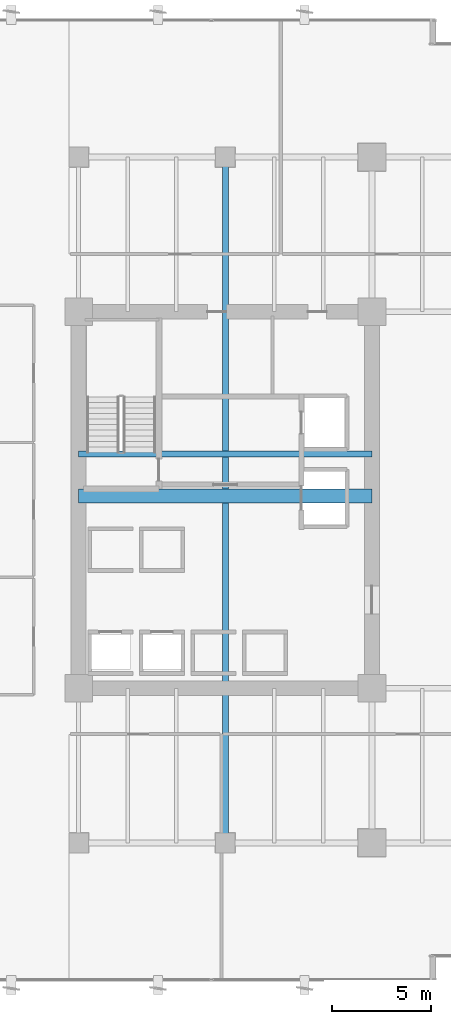
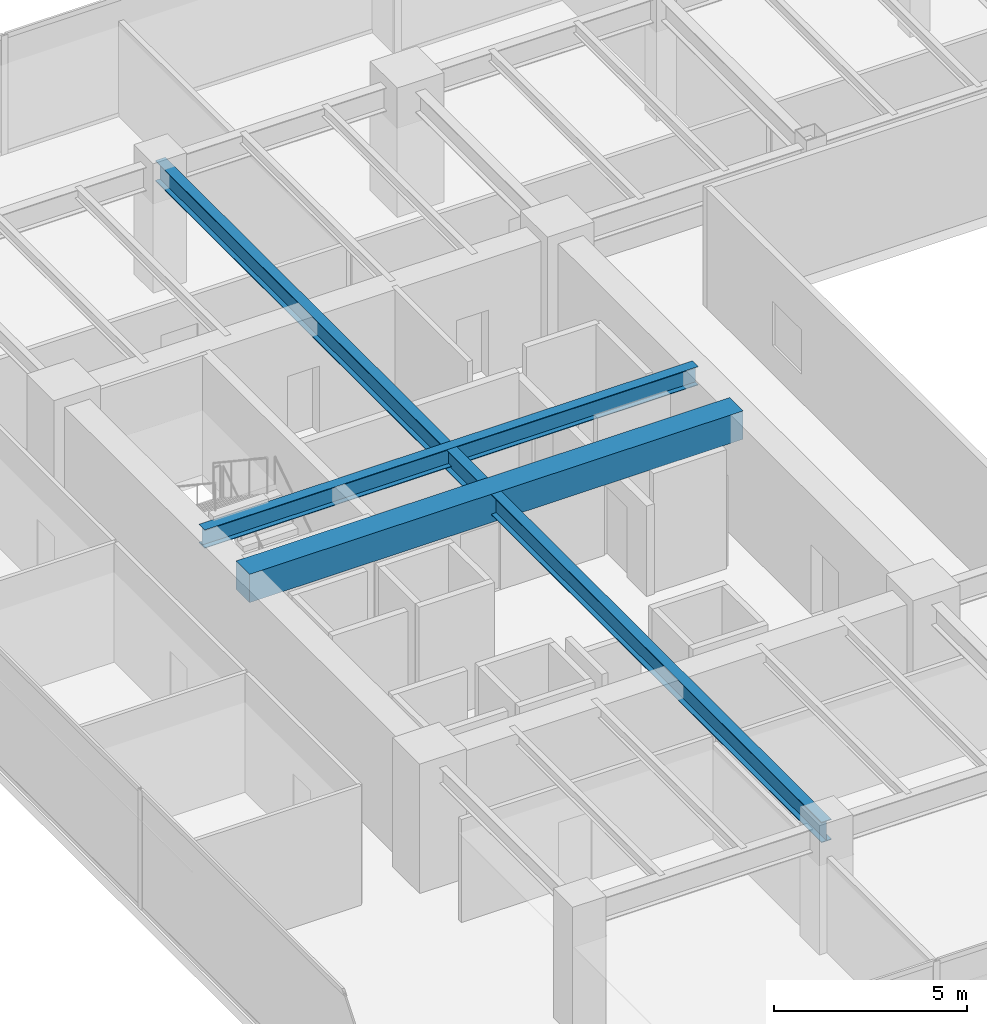
# One storey, part 7 of 37: 3 beams.
"""IFC4 building model written with IfcOpenShell, lengths in metres."""

from ifc_helpers import new_model, si_unit, direction, frame, origin, origin_2d, place, context, subcontext, project, spatial, rectangle, i_section, extrude, source, transform, mapped, material, material_profile, profile_set, type_object, type_shapes, element, save


model = new_model("IFC4")

# Units and contexts
model_context = context("Model", 3, precision=1e-05, world=origin(), true_north=direction((0.0, 1.0)))
body_context = subcontext(model_context, "Body", "Model", "MODEL_VIEW")
ifc_project = project(units=[si_unit("LENGTHUNIT", "METRE"), si_unit("AREAUNIT", "SQUARE_METRE"), si_unit("VOLUMEUNIT", "CUBIC_METRE"), si_unit("PLANEANGLEUNIT", "RADIAN"), si_unit("MASSUNIT", "GRAM", prefix="KILO")], contexts=[model_context])

# Site, building, storey
site_placement = place(None, origin())
site = spatial("IfcSite", under=ifc_project, at=site_placement, CompositionType="ELEMENT")
building_placement = place(site_placement, origin())
building = spatial("IfcBuilding", under=site, at=building_placement, Name="Haelvirn Gate Laboratories", CompositionType="ELEMENT")
storey_placement = place(building_placement, frame((0.0, 0.0, 74.39990234375)))
storey = spatial("IfcBuildingStorey", under=building, at=storey_placement, Name="L18", CompositionType="ELEMENT", Elevation=74.39990234375)

# Beams
ifc_material_1 = material(Name="Concrete C60/75", Category="concrete")
ifc_material_profile_1 = material_profile(ifc_material_1, rectangle(XDim=0.699951171875, YDim=0.89990234375, at=origin_2d()), Name="RCB-700x900")
ifc_profile_set_1 = profile_set([ifc_material_profile_1], Name="Concrete C60/75")
beam_type_1 = type_object("IfcBeamType", Name="BM-RCB-900", PredefinedType="LINTEL", material=ifc_profile_set_1)
shared_shape_1 = source(origin(), body_context, "Body", "SweptSolid", [
    extrude(rectangle(XDim=0.699951171875, YDim=0.89990234375, at=origin_2d()), origin(), (0.0, 0.0, 1.0), 14.800048828125),
])
type_shapes(beam_type_1, [shared_shape_1])
beam_1_placement = place(storey_placement, frame((7.39990234375, 24.5, 3.330078125), z_axis=(1.0, 0.0, 0.0), x_axis=(0.0, 1.0, 0.0)))
element("IfcBeam", 1, at=beam_1_placement, inside=storey, type_object=beam_type_1, Name="L18 West Core Coupling Beam", PredefinedType="LINTEL", context=body_context, shape_type="MappedRepresentation", body=[
    mapped(shared_shape_1, transform((0.0, 0.0, 0.0), scale=1.0)),
])
ifc_material_2 = material(Name="Steel SM355", Category="steel")
ifc_material_profile_2 = material_profile(ifc_material_2, i_section(OverallWidth=0.300048828125, OverallDepth=0.587890625, WebThickness=0.011962890625, FlangeThickness=0.02001953125, at=origin_2d()), Name="H-588x300x12x20")
ifc_profile_set_2 = profile_set([ifc_material_profile_2], Name="Steel SM355")
beam_type_2 = type_object("IfcBeamType", Name="BM-G-588", PredefinedType="BEAM", material=ifc_profile_set_2)
shared_shape_2 = source(origin(), body_context, "Body", "SweptSolid", [
    extrude(i_section(OverallWidth=0.300048828125, OverallDepth=0.587890625, WebThickness=0.011962890625, FlangeThickness=0.02001953125, at=origin_2d()), origin(), (0.0, 0.0, 1.0), 14.800048828125),
])
type_shapes(beam_type_2, [shared_shape_2])
beam_2_placement = place(storey_placement, frame((7.39990234375, 26.6201171875, 3.486083984375), z_axis=(1.0, 0.0, 0.0), x_axis=(0.0, 1.0, 0.0)))
element("IfcBeam", 2, at=beam_2_placement, inside=storey, type_object=beam_type_2, Name="L18 Stair ST1 Landing Header", PredefinedType="BEAM", context=body_context, shape_type="MappedRepresentation", body=[
    mapped(shared_shape_2, transform((0.0, 0.0, 0.0), scale=1.0)),
])
ifc_material_profile_3 = material_profile(ifc_material_2, i_section(OverallWidth=0.300048828125, OverallDepth=0.64990234375, WebThickness=0.012939453125, FlangeThickness=0.02197265625, at=origin_2d()), Name="H-650x300x13x22")
ifc_profile_set_3 = profile_set([ifc_material_profile_3], Name="Steel SM355")
beam_type_3 = type_object("IfcBeamType", Name="BM-G-650", PredefinedType="BEAM", material=ifc_profile_set_3)
shared_shape_3 = source(origin(), body_context, "Body", "SweptSolid", [
    extrude(i_section(OverallWidth=0.300048828125, OverallDepth=0.64990234375, WebThickness=0.012939453125, FlangeThickness=0.02197265625, at=origin_2d()), origin(), (0.0, 0.0, 1.0), 34.60009765625),
])
type_shapes(beam_type_3, [shared_shape_3])
beam_3_placement = place(storey_placement, frame((14.800048828125, 7.0, 3.455078125), z_axis=(0.0, 1.0, 0.0), x_axis=(-1.0, 0.0, 0.0)))
element("IfcBeam", 3, at=beam_3_placement, inside=storey, type_object=beam_type_3, Name="L18 Frame Girder X14.8 (7.0-41.6)", PredefinedType="BEAM", context=body_context, shape_type="MappedRepresentation", body=[
    mapped(shared_shape_3, transform((0.0, 0.0, 0.0), scale=1.0)),
])

save(model, "model.ifc")
